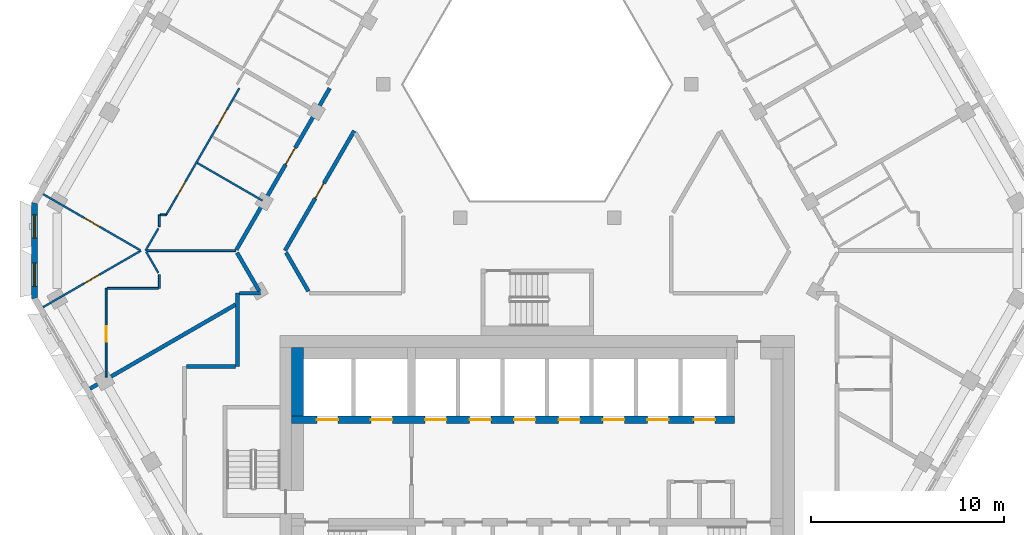
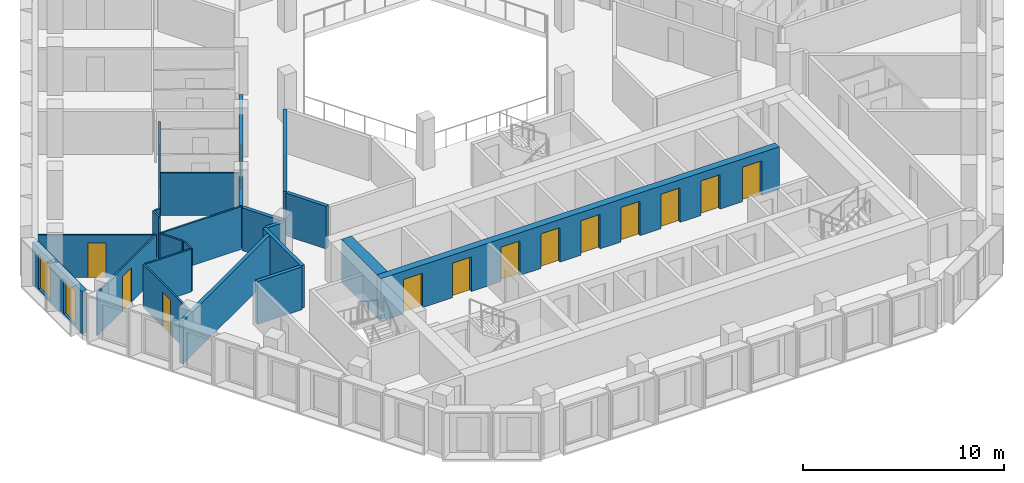
# One storey, part 4 of 18: 23 walls, 16 doors, 2 windows, 18 openings.
"""IFC4 building model written with IfcOpenShell, lengths in metres."""

from ifc_helpers import new_model, si_unit, direction, frame, frame_2d, origin, place, context, subcontext, project, spatial, polyline, rectangle, outline, extrude, material, layer, layer_set, type_object, element, fill, save


model = new_model("IFC4")

# Units and contexts
model_context = context("Model", 3, precision=1e-05, world=origin(), true_north=direction((0.0, 1.0)))
body_context = subcontext(model_context, "Body", "Model", "MODEL_VIEW")
ifc_project = project(units=[si_unit("LENGTHUNIT", "METRE"), si_unit("AREAUNIT", "SQUARE_METRE"), si_unit("VOLUMEUNIT", "CUBIC_METRE"), si_unit("PLANEANGLEUNIT", "RADIAN"), si_unit("MASSUNIT", "GRAM", prefix="KILO")], contexts=[model_context])

# Site, building, storey
site_placement = place(None, origin())
site = spatial("IfcSite", under=ifc_project, at=site_placement, CompositionType="ELEMENT")
building_placement = place(site_placement, origin())
building = spatial("IfcBuilding", under=site, at=building_placement, Name="Beryl Residences", CompositionType="ELEMENT")
storey_placement = place(building_placement, frame((0.0, 0.0, 196.199951171875)))
storey = spatial("IfcBuildingStorey", under=building, at=storey_placement, Name="L60", CompositionType="ELEMENT", Elevation=196.199951171875)

# Wall, openings, windows
ifc_material_1 = material(Name="Composite metal panel with mineral wool insulation")
ifc_layer_1 = layer(ifc_material_1, 0.300048828125)
ifc_layer_set_1 = layer_set([ifc_layer_1], Name="ES1 pale metal composite panel wall 300 mm")
wall_type_1 = type_object("IfcWallType", Name="ES1 pale metal composite panel wall 300 mm", PredefinedType="SOLIDWALL", material=ifc_layer_set_1)
wall_1_placement = place(storey_placement, frame((-26.00390625, 1.89990234375, 0.0), z_axis=(0.0, 0.0, 1.0), x_axis=(0.0, -1.0, 0.0)))
wall_1 = element("IfcWall", 1, at=wall_1_placement, inside=storey, type_object=wall_type_1, Name="ES1 external wall L60 NW-SW", PredefinedType="SOLIDWALL", context=body_context, shape_type="SweptSolid", body=[
    extrude(outline(polyline([(0.0, -0.14990234375), (5.0, -0.14990234375), (4.919677734375, 0.14990234375), (0.080322265625, 0.14990234375), (0.0, -0.14990234375)])), origin(), (0.0, 0.0, 1.0), 2.60009765625),
])
opening_1_placement = place(wall_1_placement, frame((0.64990234375, 0.0, 0.14990234375)))
opening_1 = element("IfcOpeningElement", 2, at=opening_1_placement, cuts=wall_1, Name="Opening W2", PredefinedType="OPENING", context=body_context, shape_type="SweptSolid", body=[
    extrude(rectangle(XDim=1.199951171875, YDim=2.10009765625, at=frame_2d((0.60009765625, 1.050048828125))), frame((0.0, 0.159912109375, 0.0), z_axis=(0.0, -1.0, 0.0), x_axis=(1.0, 0.0, 0.0)), (0.0, 0.0, 1.0), 0.320068359375),
])
opening_2_placement = place(wall_1_placement, frame((3.14990234375, 0.0, 0.14990234375)))
opening_2 = element("IfcOpeningElement", 3, at=opening_2_placement, cuts=wall_1, Name="Opening W2", PredefinedType="OPENING", context=body_context, shape_type="SweptSolid", body=[
    extrude(rectangle(XDim=1.199951171875, YDim=2.10009765625, at=frame_2d((0.60009765625, 1.050048828125))), frame((0.0, 0.159912109375, 0.0), z_axis=(0.0, -1.0, 0.0), x_axis=(1.0, 0.0, 0.0)), (0.0, 0.0, 1.0), 0.320068359375),
])
ifc_material_2 = material(Name="Aluminium and clear glass", Category="aluminium")
window_type = type_object("IfcWindowType", Name="W2 chamfer window 1200 x 2100 mm", PartitioningType="SINGLE_PANEL", PredefinedType="WINDOW", material=ifc_material_2)
window_1_placement = place(opening_1_placement, origin())
window_1 = element("IfcWindow", 4, at=window_1_placement, inside=storey, type_object=window_type, Name="W2 window L60 NW-SW 1", OverallHeight=2.10009765625, OverallWidth=1.199951171875, PartitioningType="SINGLE_PANEL", PredefinedType="WINDOW", context=body_context, shape_type="SweptSolid", body=[
    extrude(rectangle(XDim=1.199951171875, YDim=2.10009765625, at=frame_2d((0.60009765625, 1.050048828125))), frame((0.0, 0.030029296875, 0.0), z_axis=(0.0, -1.0, 0.0), x_axis=(1.0, 0.0, 0.0)), (0.0, 0.0, 1.0), 0.06005859375),
])
fill(opening_1, window_1)
window_2_placement = place(opening_2_placement, origin())
window_2 = element("IfcWindow", 5, at=window_2_placement, inside=storey, type_object=window_type, Name="W2 window L60 NW-SW 2", OverallHeight=2.10009765625, OverallWidth=1.199951171875, PartitioningType="SINGLE_PANEL", PredefinedType="WINDOW", context=body_context, shape_type="SweptSolid", body=[
    extrude(rectangle(XDim=1.199951171875, YDim=2.10009765625, at=frame_2d((0.60009765625, 1.050048828125))), frame((0.0, 0.030029296875, 0.0), z_axis=(0.0, -1.0, 0.0), x_axis=(1.0, 0.0, 0.0)), (0.0, 0.0, 1.0), 0.06005859375),
])
fill(opening_2, window_2)

# Walls
ifc_material_3 = material(Name="Gypsum board partition on steel studs", Category="steel")
ifc_layer_2 = layer(ifc_material_3, 0.10009765625)
ifc_layer_set_2 = layer_set([ifc_layer_2], Name="PT1 partition 100 mm gypsum board on steel studs")
wall_type_2 = type_object("IfcWallType", Name="PT1 partition 100 mm gypsum board on steel studs", PredefinedType="PARTITIONING", material=ifc_layer_set_2)
wall_2_placement = place(storey_placement, frame((-20.23291015625, -0.65087890625, 0.0), z_axis=(0.0, 0.0, 1.0), x_axis=(0.500498449207, -0.865737432679, 0.0)))
element("IfcWall", 6, at=wall_2_placement, inside=storey, type_object=wall_type_2, Name="Wall PT1 L60 001", PredefinedType="PARTITIONING", context=body_context, shape_type="SweptSolid", body=[
    extrude(rectangle(XDim=1.270751953125, YDim=0.10009765625, at=frame_2d((0.63525390625, 0.0))), origin(), (0.0, 0.0, 1.0), 2.60009765625),
])
wall_3_placement = place(storey_placement, frame((-17.5849609375, 3.93603515625, 0.0), z_axis=(0.0, 0.0, 1.0), x_axis=(0.865979019114, -0.500080332001, 0.0)))
element("IfcWall", 7, at=wall_3_placement, inside=storey, type_object=wall_type_2, Name="Wall PT1 L60 013", PredefinedType="PARTITIONING", context=body_context, shape_type="SweptSolid", body=[
    extrude(rectangle(XDim=3.897216796875, YDim=0.10009765625, at=frame_2d((1.94873046875, 0.0))), origin(), (0.0, 0.0, 1.0), 2.60009765625),
])

# Wall, opening, door
wall_4_placement = place(storey_placement, frame((-25.56201171875, 2.324951171875, 0.0), z_axis=(0.0, 0.0, 1.0), x_axis=(0.86599890761, -0.500045889912, 0.0)))
wall_4 = element("IfcWall", 8, at=wall_4_placement, inside=storey, type_object=wall_type_2, Name="Wall PT1 L60 014", PredefinedType="PARTITIONING", context=body_context, shape_type="SweptSolid", body=[
    extrude(rectangle(XDim=5.79345703125, YDim=0.10009765625, at=frame_2d((2.896728515625, 0.0))), origin(), (0.0, 0.0, 1.0), 2.60009765625),
])
opening_3_placement = place(wall_4_placement, frame((2.47607421875, 0.0, 0.0)))
opening_3 = element("IfcOpeningElement", 9, at=opening_3_placement, cuts=wall_4, Name="Opening D1528", PredefinedType="OPENING", context=body_context, shape_type="SweptSolid", body=[
    extrude(rectangle(XDim=0.89990234375, YDim=2.10009765625, at=frame_2d((0.449951171875, 1.050048828125))), frame((0.0, 0.06005859375, 0.0), z_axis=(0.0, -1.0, 0.0), x_axis=(1.0, 0.0, 0.0)), (0.0, 0.0, 1.0), 0.1201171875),
])
ifc_material_4 = material(Name="Timber door leaf", Category="wood")
door_type_1 = type_object("IfcDoorType", Name="D2 room door 900 x 2100 mm", OperationType="SINGLE_SWING_LEFT", PredefinedType="DOOR", material=ifc_material_4)
door_1_placement = place(opening_3_placement, origin())
door_1 = element("IfcDoor", 10, at=door_1_placement, inside=storey, type_object=door_type_1, Name="Door D1528 L60 001", OperationType="SINGLE_SWING_RIGHT", OverallHeight=2.10009765625, OverallWidth=0.89990234375, PredefinedType="DOOR", context=body_context, shape_type="SweptSolid", body=[
    extrude(rectangle(XDim=0.89990234375, YDim=2.10009765625, at=frame_2d((0.449951171875, 1.050048828125))), frame((0.0, 0.02490234375, 0.0), z_axis=(0.0, -1.0, 0.0), x_axis=(1.0, 0.0, 0.0)), (0.0, 0.0, 1.0), 0.050048828125),
])
fill(opening_3, door_1)

# Walls
wall_5_placement = place(storey_placement, frame((-20.2041015625, -0.60107421875, 0.0), z_axis=(0.0, 0.0, 1.0), x_axis=(1.0, 0.0, 0.0)))
element("IfcWall", 11, at=wall_5_placement, inside=storey, type_object=wall_type_2, Name="Wall PT1 L60 017", PredefinedType="PARTITIONING", context=body_context, shape_type="SweptSolid", body=[
    extrude(rectangle(XDim=4.6162109375, YDim=0.10009765625, at=frame_2d((2.30810546875, 0.0))), origin(), (0.0, 0.0, 1.0), 2.60009765625),
])
wall_6_placement = place(storey_placement, frame((-22.2470703125, -2.552978515625, 0.0), z_axis=(0.0, 0.0, 1.0), x_axis=(1.0, 0.0, 0.0)))
element("IfcWall", 12, at=wall_6_placement, inside=storey, type_object=wall_type_2, Name="Wall PT1 L60 020", PredefinedType="PARTITIONING", context=body_context, shape_type="SweptSolid", body=[
    extrude(rectangle(XDim=2.650146484375, YDim=0.10009765625, at=frame_2d((1.3251953125, 0.0))), origin(), (0.0, 0.0, 1.0), 2.60009765625),
])
wall_7_placement = place(storey_placement, frame((-19.4970703125, 1.2470703125, 0.0), z_axis=(0.0, 0.0, 1.0), x_axis=(1.0, 0.0, 0.0)))
element("IfcWall", 13, at=wall_7_placement, inside=storey, type_object=wall_type_2, Name="Wall PT1 L60 021", PredefinedType="PARTITIONING", context=body_context, shape_type="SweptSolid", body=[
    extrude(rectangle(XDim=0.302001953125, YDim=0.10009765625, at=frame_2d((0.15087890625, 0.0))), origin(), (0.0, 0.0, 1.0), 2.60009765625),
])
wall_8_placement = place(storey_placement, frame((-20.261962890625, -0.60107421875, 0.0), z_axis=(0.0, 0.0, 1.0), x_axis=(0.500247001515, 0.86588275042, 0.0)))
element("IfcWall", 14, at=wall_8_placement, inside=storey, type_object=wall_type_2, Name="Wall PT1 L60 027", PredefinedType="PARTITIONING", context=body_context, shape_type="SweptSolid", body=[
    extrude(rectangle(XDim=1.329345703125, YDim=0.10009765625, at=frame_2d((0.66455078125, 0.0))), origin(), (0.0, 0.0, 1.0), 2.60009765625),
])

# Wall, openings, doors
wall_9_placement = place(storey_placement, frame((-19.195068359375, 1.2470703125, 0.0), z_axis=(0.0, 0.0, 1.0), x_axis=(0.499959862915, 0.866048575701, 0.0)))
wall_9 = element("IfcWall", 15, at=wall_9_placement, inside=storey, type_object=wall_type_2, Name="Wall PT1 L60 028", PredefinedType="PARTITIONING", context=body_context, shape_type="SweptSolid", body=[
    extrude(rectangle(XDim=7.56640625, YDim=0.10009765625, at=frame_2d((3.783203125, 0.0))), origin(), (0.0, 0.0, 1.0), 2.60009765625),
])
opening_4_placement = place(wall_9_placement, frame((5.35400390625, 0.0, 0.0)))
opening_4 = element("IfcOpeningElement", 16, at=opening_4_placement, cuts=wall_9, Name="Opening D1527", PredefinedType="OPENING", context=body_context, shape_type="SweptSolid", body=[
    extrude(rectangle(XDim=0.89990234375, YDim=2.10009765625, at=frame_2d((0.449951171875, 1.050048828125))), frame((0.0, 0.06005859375, 0.0), z_axis=(0.0, -1.0, 0.0), x_axis=(1.0, 0.0, 0.0)), (0.0, 0.0, 1.0), 0.1201171875),
])
opening_5_placement = place(wall_9_placement, frame((1.177001953125, 0.0, 0.0)))
opening_5 = element("IfcOpeningElement", 17, at=opening_5_placement, cuts=wall_9, Name="Opening D1529", PredefinedType="OPENING", context=body_context, shape_type="SweptSolid", body=[
    extrude(rectangle(XDim=0.800048828125, YDim=2.10009765625, at=frame_2d((0.39990234375, 1.050048828125))), frame((0.0, 0.06005859375, 0.0), z_axis=(0.0, -1.0, 0.0), x_axis=(1.0, 0.0, 0.0)), (0.0, 0.0, 1.0), 0.1201171875),
])
door_2_placement = place(opening_4_placement, origin())
door_2 = element("IfcDoor", 18, at=door_2_placement, inside=storey, type_object=door_type_1, Name="Door D1527 L60 001", OperationType="SINGLE_SWING_LEFT", OverallHeight=2.10009765625, OverallWidth=0.89990234375, PredefinedType="DOOR", context=body_context, shape_type="SweptSolid", body=[
    extrude(rectangle(XDim=0.89990234375, YDim=2.10009765625, at=frame_2d((0.449951171875, 1.050048828125))), frame((0.0, 0.02490234375, 0.0), z_axis=(0.0, -1.0, 0.0), x_axis=(1.0, 0.0, 0.0)), (0.0, 0.0, 1.0), 0.050048828125),
])
fill(opening_4, door_2)
ifc_material_5 = material(Name="Timber door leaf", Category="wood")
door_type_2 = type_object("IfcDoorType", Name="D3 bathroom door 800 x 2100 mm", OperationType="SINGLE_SWING_LEFT", PredefinedType="DOOR", material=ifc_material_5)
door_3_placement = place(opening_5_placement, origin())
door_3 = element("IfcDoor", 19, at=door_3_placement, inside=storey, type_object=door_type_2, Name="Door D1529 L60 001", OperationType="SINGLE_SWING_LEFT", OverallHeight=2.10009765625, OverallWidth=0.800048828125, PredefinedType="DOOR", context=body_context, shape_type="SweptSolid", body=[
    extrude(rectangle(XDim=0.800048828125, YDim=2.10009765625, at=frame_2d((0.39990234375, 1.050048828125))), frame((0.0, 0.02490234375, 0.0), z_axis=(0.0, -1.0, 0.0), x_axis=(1.0, 0.0, 0.0)), (0.0, 0.0, 1.0), 0.050048828125),
])
fill(opening_5, door_3)

# Walls
wall_10_placement = place(storey_placement, frame((-19.547119140625, -2.552978515625, 0.0), z_axis=(0.0, 0.0, 1.0), x_axis=(0.0, 1.0, 0.0)))
element("IfcWall", 20, at=wall_10_placement, inside=storey, type_object=wall_type_2, Name="Wall PT1 L60 037", PredefinedType="PARTITIONING", context=body_context, shape_type="SweptSolid", body=[
    extrude(rectangle(XDim=0.715087890625, YDim=0.10009765625, at=frame_2d((0.357421875, 0.0))), origin(), (0.0, 0.0, 1.0), 2.60009765625),
])
wall_11_placement = place(storey_placement, frame((-19.547119140625, 0.636962890625, 0.0), z_axis=(0.0, 0.0, 1.0), x_axis=(0.0, 1.0, 0.0)))
element("IfcWall", 21, at=wall_11_placement, inside=storey, type_object=wall_type_2, Name="Wall PT1 L60 038", PredefinedType="PARTITIONING", context=body_context, shape_type="SweptSolid", body=[
    extrude(rectangle(XDim=0.610107421875, YDim=0.10009765625, at=frame_2d((0.30517578125, 0.0))), origin(), (0.0, 0.0, 1.0), 2.60009765625),
])

# Wall, opening, door
wall_12_placement = place(storey_placement, frame((-22.297119140625, -7.14111328125, 0.0), z_axis=(0.0, 0.0, 1.0), x_axis=(0.0, 1.0, 0.0)))
wall_12 = element("IfcWall", 22, at=wall_12_placement, inside=storey, type_object=wall_type_2, Name="Wall PT1 L60 039", PredefinedType="PARTITIONING", context=body_context, shape_type="SweptSolid", body=[
    extrude(rectangle(XDim=4.588134765625, YDim=0.10009765625, at=frame_2d((2.2939453125, 0.0))), origin(), (0.0, 0.0, 1.0), 2.60009765625),
])
opening_6_placement = place(wall_12_placement, frame((1.8359375, 0.0, 0.0)))
opening_6 = element("IfcOpeningElement", 23, at=opening_6_placement, cuts=wall_12, Name="Opening D1531", PredefinedType="OPENING", context=body_context, shape_type="SweptSolid", body=[
    extrude(rectangle(XDim=0.800048828125, YDim=2.10009765625, at=frame_2d((0.39990234375, 1.050048828125))), frame((0.0, 0.06005859375, 0.0), z_axis=(0.0, -1.0, 0.0), x_axis=(1.0, 0.0, 0.0)), (0.0, 0.0, 1.0), 0.1201171875),
])
door_4_placement = place(opening_6_placement, origin())
door_4 = element("IfcDoor", 24, at=door_4_placement, inside=storey, type_object=door_type_2, Name="Door D1531 L60 001", OperationType="SINGLE_SWING_LEFT", OverallHeight=2.10009765625, OverallWidth=0.800048828125, PredefinedType="DOOR", context=body_context, shape_type="SweptSolid", body=[
    extrude(rectangle(XDim=0.800048828125, YDim=2.10009765625, at=frame_2d((0.39990234375, 1.050048828125))), frame((0.0, 0.02490234375, 0.0), z_axis=(0.0, -1.0, 0.0), x_axis=(1.0, 0.0, 0.0)), (0.0, 0.0, 1.0), 0.050048828125),
])
fill(opening_6, door_4)

wall_13_placement = place(storey_placement, frame((-25.56298828125, -3.52392578125, 0.0), z_axis=(0.0, 0.0, 1.0), x_axis=(0.866128586522, 0.499821239653, 0.0)))
wall_13 = element("IfcWall", 25, at=wall_13_placement, inside=storey, type_object=wall_type_2, Name="Wall PT1 L60 045", PredefinedType="PARTITIONING", context=body_context, shape_type="SweptSolid", body=[
    extrude(rectangle(XDim=5.847900390625, YDim=0.10009765625, at=frame_2d((2.923828125, 0.0))), origin(), (0.0, 0.0, 1.0), 2.60009765625),
])
opening_7_placement = place(wall_13_placement, frame((2.47412109375, 0.0, 0.0)))
opening_7 = element("IfcOpeningElement", 26, at=opening_7_placement, cuts=wall_13, Name="Opening D1530", PredefinedType="OPENING", context=body_context, shape_type="SweptSolid", body=[
    extrude(rectangle(XDim=0.89990234375, YDim=2.10009765625, at=frame_2d((0.449951171875, 1.050048828125))), frame((0.0, 0.06005859375, 0.0), z_axis=(0.0, -1.0, 0.0), x_axis=(1.0, 0.0, 0.0)), (0.0, 0.0, 1.0), 0.1201171875),
])
door_5_placement = place(opening_7_placement, origin())
door_5 = element("IfcDoor", 27, at=door_5_placement, inside=storey, type_object=door_type_1, Name="Door D1530 L60 001", OperationType="SINGLE_SWING_RIGHT", OverallHeight=2.10009765625, OverallWidth=0.89990234375, PredefinedType="DOOR", context=body_context, shape_type="SweptSolid", body=[
    extrude(rectangle(XDim=0.89990234375, YDim=2.10009765625, at=frame_2d((0.449951171875, 1.050048828125))), frame((0.0, 0.02490234375, 0.0), z_axis=(0.0, -1.0, 0.0), x_axis=(1.0, 0.0, 0.0)), (0.0, 0.0, 1.0), 0.050048828125),
])
fill(opening_7, door_5)

# Walls
ifc_material_6 = material(Name="Acoustic double stud gypsum board wall")
ifc_layer_3 = layer(ifc_material_6, 0.199951171875)
ifc_layer_set_3 = layer_set([ifc_layer_3], Name="PT3 party wall 200 mm acoustic double stud")
wall_type_3 = type_object("IfcWallType", Name="PT3 party wall 200 mm acoustic double stud", PredefinedType="PARTITIONING", material=ifc_layer_set_3)
wall_14_placement = place(storey_placement, frame((-23.1298828125, -7.737060546875, 0.0), z_axis=(0.0, 0.0, 1.0), x_axis=(0.866033148899, 0.499986584829, 0.0)))
element("IfcWall", 28, at=wall_14_placement, inside=storey, type_object=wall_type_3, Name="Wall PT3 L60 013", PredefinedType="PARTITIONING", context=body_context, shape_type="SweptSolid", body=[
    extrude(rectangle(XDim=8.694580078125, YDim=0.199951171875, at=frame_2d((4.34716796875, 0.0))), origin(), (0.0, 0.0, 1.0), 2.60009765625),
])
ifc_material_7 = material(Name="Double stud gypsum board wall")
ifc_layer_4 = layer(ifc_material_7, 0.199951171875)
ifc_layer_set_4 = layer_set([ifc_layer_4], Name="PT4 corridor wall 200 mm double stud")
wall_type_4 = type_object("IfcWallType", Name="PT4 corridor wall 200 mm double stud", PredefinedType="PARTITIONING", material=ifc_layer_set_4)
for number, where, z_axis, x_axis, name in (
    (29, (-12.989990234375, -0.700927734375, 0.0), (0.0, 0.0, 1.0), (0.499972710878, -0.866041158593, 0.0), "Wall PT4 L60 002"),
    (30, (-15.530029296875, -0.700927734375, 0.0), (0.0, 0.0, 1.0), (0.499972710878, -0.866041158593, 0.0), "Wall PT4 L60 003"),
):
    element("IfcWall", number, at=place(storey_placement, frame(where, z_axis=z_axis, x_axis=x_axis)), inside=storey, type_object=wall_type_4, Name=name, PredefinedType="PARTITIONING", context=body_context, shape_type="SweptSolid", body=[
        extrude(rectangle(XDim=2.308349609375, YDim=0.199951171875, at=frame_2d((1.154296875, 0.0))), origin(), (0.0, 0.0, 1.0), 2.60009765625),
    ])
wall_15_placement = place(storey_placement, frame((-18.14892578125, -6.60009765625, 0.0), z_axis=(0.0, 0.0, 1.0), x_axis=(1.0, 0.0, 0.0)))
element("IfcWall", 31, at=wall_15_placement, inside=storey, type_object=wall_type_4, Name="Wall PT4 L60 008", PredefinedType="PARTITIONING", context=body_context, shape_type="SweptSolid", body=[
    extrude(rectangle(XDim=2.548828125, YDim=0.199951171875, at=frame_2d((1.2744140625, 0.0))), origin(), (0.0, 0.0, 1.0), 2.60009765625),
])
wall_16_placement = place(storey_placement, frame((-15.39892578125, -2.800048828125, 0.0), z_axis=(0.0, 0.0, 1.0), x_axis=(1.0, 0.0, 0.0)))
element("IfcWall", 32, at=wall_16_placement, inside=storey, type_object=wall_type_4, Name="Wall PT4 L60 010", PredefinedType="PARTITIONING", context=body_context, shape_type="SweptSolid", body=[
    extrude(rectangle(XDim=1.080810546875, YDim=0.199951171875, at=frame_2d((0.54052734375, 0.0))), origin(), (0.0, 0.0, 1.0), 2.60009765625),
])

# Wall, opening, door
wall_17_placement = place(storey_placement, frame((-13.048095703125, -0.60107421875, 0.0), z_axis=(0.0, 0.0, 1.0), x_axis=(0.499982180423, 0.866035691677, 0.0)))
wall_17 = element("IfcWall", 33, at=wall_17_placement, inside=storey, type_object=wall_type_4, Name="Wall PT4 L60 018", PredefinedType="PARTITIONING", context=body_context, shape_type="SweptSolid", body=[
    extrude(rectangle(XDim=7.160400390625, YDim=0.199951171875, at=frame_2d((3.580078125, 0.0))), origin(), (0.0, 0.0, 1.0), 2.60009765625),
])
opening_8_placement = place(wall_17_placement, frame((3.1298828125, 0.0, 0.0)))
opening_8 = element("IfcOpeningElement", 34, at=opening_8_placement, cuts=wall_17, Name="Opening D1546", PredefinedType="OPENING", context=body_context, shape_type="SweptSolid", body=[
    extrude(rectangle(XDim=0.89990234375, YDim=2.10009765625, at=frame_2d((0.449951171875, 1.050048828125))), frame((0.0, 0.10986328125, 0.0), z_axis=(0.0, -1.0, 0.0), x_axis=(1.0, 0.0, 0.0)), (0.0, 0.0, 1.0), 0.219970703125),
])
door_6_placement = place(opening_8_placement, origin())
door_6 = element("IfcDoor", 35, at=door_6_placement, inside=storey, type_object=door_type_1, Name="Door D1546 L60 001", OperationType="SINGLE_SWING_RIGHT", OverallHeight=2.10009765625, OverallWidth=0.89990234375, PredefinedType="DOOR", context=body_context, shape_type="SweptSolid", body=[
    extrude(rectangle(XDim=0.89990234375, YDim=2.10009765625, at=frame_2d((0.449951171875, 1.050048828125))), frame((0.0, 0.02490234375, 0.0), z_axis=(0.0, -1.0, 0.0), x_axis=(1.0, 0.0, 0.0)), (0.0, 0.0, 1.0), 0.050048828125),
])
fill(opening_8, door_6)

wall_18_placement = place(storey_placement, frame((-15.55908203125, -0.551025390625, 0.0), z_axis=(0.0, 0.0, 1.0), x_axis=(0.499964997208, 0.866045611713, 0.0)))
wall_18 = element("IfcWall", 36, at=wall_18_placement, inside=storey, type_object=wall_type_4, Name="Wall PT4 L60 019", PredefinedType="PARTITIONING", context=body_context, shape_type="SweptSolid", body=[
    extrude(rectangle(XDim=9.642822265625, YDim=0.199951171875, at=frame_2d((4.8212890625, 0.0))), origin(), (0.0, 0.0, 1.0), 2.60009765625),
])
opening_9_placement = place(wall_18_placement, frame((5.087890625, 0.0, 0.0)))
opening_9 = element("IfcOpeningElement", 37, at=opening_9_placement, cuts=wall_18, Name="Opening D1524", PredefinedType="OPENING", context=body_context, shape_type="SweptSolid", body=[
    extrude(rectangle(XDim=1.0, YDim=2.10009765625, at=frame_2d((0.5, 1.050048828125))), frame((0.0, 0.10986328125, 0.0), z_axis=(0.0, -1.0, 0.0), x_axis=(1.0, 0.0, 0.0)), (0.0, 0.0, 1.0), 0.219970703125),
])
ifc_material_8 = material(Name="Timber door leaf", Category="wood")
door_type_3 = type_object("IfcDoorType", Name="D1 flat entrance door 1000 x 2100 mm", OperationType="SINGLE_SWING_LEFT", PredefinedType="DOOR", material=ifc_material_8)
door_7_placement = place(opening_9_placement, origin())
door_7 = element("IfcDoor", 38, at=door_7_placement, inside=storey, type_object=door_type_3, Name="Door D1524 L60 001", OperationType="SINGLE_SWING_RIGHT", OverallHeight=2.10009765625, OverallWidth=1.0, PredefinedType="DOOR", context=body_context, shape_type="SweptSolid", body=[
    extrude(rectangle(XDim=1.0, YDim=2.10009765625, at=frame_2d((0.5, 1.050048828125))), frame((0.0, 0.02490234375, 0.0), z_axis=(0.0, -1.0, 0.0), x_axis=(1.0, 0.0, 0.0)), (0.0, 0.0, 1.0), 0.050048828125),
])
fill(opening_9, door_7)

# Walls
wall_19_placement = place(storey_placement, frame((-15.5, -6.60009765625, 0.0), z_axis=(0.0, 0.0, 1.0), x_axis=(0.0, 1.0, 0.0)))
element("IfcWall", 39, at=wall_19_placement, inside=storey, type_object=wall_type_4, Name="Wall PT4 L60 024", PredefinedType="PARTITIONING", context=body_context, shape_type="SweptSolid", body=[
    extrude(rectangle(XDim=3.799072265625, YDim=0.199951171875, at=frame_2d((1.8994140625, 0.0))), origin(), (0.0, 0.0, 1.0), 2.60009765625),
])
ifc_material_9 = material(Name="Concrete C40/50", Category="concrete")
ifc_layer_5 = layer(ifc_material_9, 0.60009765625)
ifc_layer_set_5 = layer_set([ifc_layer_5], Name="PT6-600 lift shaft wall 600 mm")
wall_type_5 = type_object("IfcWallType", Name="PT6-600 lift shaft wall 600 mm", PredefinedType="SOLIDWALL", material=ifc_layer_set_5)
wall_20_placement = place(storey_placement, frame((-12.39990234375, -9.14990234375, 0.0), z_axis=(0.0, 0.0, 1.0), x_axis=(0.0, 1.0, 0.0)))
element("IfcWall", 40, at=wall_20_placement, inside=storey, type_object=wall_type_5, Name="Lift shaft wall 07", PredefinedType="SOLIDWALL", context=body_context, shape_type="SweptSolid", body=[
    extrude(rectangle(XDim=3.5498046875, YDim=0.60009765625, at=frame_2d((1.77490234375, 0.0))), origin(), (0.0, 0.0, 1.0), 2.60009765625),
])

# Wall, openings, doors
ifc_material_10 = material(Name="Concrete C50/60", Category="concrete")
ifc_layer_6 = layer(ifc_material_10, 0.39990234375)
ifc_layer_set_6 = layer_set([ifc_layer_6], Name="SW9 core internal wall 400 mm C50/60")
wall_type_6 = type_object("IfcWallType", Name="SW9 core internal wall 400 mm C50/60", PredefinedType="SHEAR", material=ifc_layer_set_6)
wall_21_placement = place(storey_placement, frame((-12.699951171875, -9.35009765625, 0.0), z_axis=(0.0, 0.0, 1.0), x_axis=(1.0, 0.0, 0.0)))
wall_21 = element("IfcWall", 41, at=wall_21_placement, inside=storey, type_object=wall_type_6, Name="Core wall SP2 L60", PredefinedType="SHEAR", context=body_context, shape_type="SweptSolid", body=[
    extrude(rectangle(XDim=22.89990234375, YDim=0.39990234375, at=frame_2d((11.449951171875, 0.0))), origin(), (0.0, 0.0, 1.0), 2.60009765625),
])
opening_10_placement = place(wall_21_placement, frame((1.300048828125, 0.0, 0.0)))
opening_10 = element("IfcOpeningElement", 42, at=opening_10_placement, cuts=wall_21, Name="Opening LD-FF1", PredefinedType="OPENING", context=body_context, shape_type="SweptSolid", body=[
    extrude(rectangle(XDim=1.10009765625, YDim=2.10009765625, at=frame_2d((0.550048828125, 1.050048828125))), frame((0.0, 0.2099609375, 0.0), z_axis=(0.0, -1.0, 0.0), x_axis=(1.0, 0.0, 0.0)), (0.0, 0.0, 1.0), 0.419921875),
])
opening_11_placement = place(wall_21_placement, frame((4.10009765625, 0.0, 0.0)))
opening_11 = element("IfcOpeningElement", 43, at=opening_11_placement, cuts=wall_21, Name="Opening LD-FF2", PredefinedType="OPENING", context=body_context, shape_type="SweptSolid", body=[
    extrude(rectangle(XDim=1.10009765625, YDim=2.10009765625, at=frame_2d((0.550048828125, 1.050048828125))), frame((0.0, 0.2099609375, 0.0), z_axis=(0.0, -1.0, 0.0), x_axis=(1.0, 0.0, 0.0)), (0.0, 0.0, 1.0), 0.419921875),
])
opening_12_placement = place(wall_21_placement, frame((6.89990234375, 0.0, 0.0)))
opening_12 = element("IfcOpeningElement", 44, at=opening_12_placement, cuts=wall_21, Name="Opening LD-HR1", PredefinedType="OPENING", context=body_context, shape_type="SweptSolid", body=[
    extrude(rectangle(XDim=1.10009765625, YDim=2.10009765625, at=frame_2d((0.550048828125, 1.050048828125))), frame((0.0, 0.2099609375, 0.0), z_axis=(0.0, -1.0, 0.0), x_axis=(1.0, 0.0, 0.0)), (0.0, 0.0, 1.0), 0.419921875),
])
opening_13_placement = place(wall_21_placement, frame((9.199951171875, 0.0, 0.0)))
opening_13 = element("IfcOpeningElement", 45, at=opening_13_placement, cuts=wall_21, Name="Opening LD-HR2", PredefinedType="OPENING", context=body_context, shape_type="SweptSolid", body=[
    extrude(rectangle(XDim=1.10009765625, YDim=2.10009765625, at=frame_2d((0.550048828125, 1.050048828125))), frame((0.0, 0.2099609375, 0.0), z_axis=(0.0, -1.0, 0.0), x_axis=(1.0, 0.0, 0.0)), (0.0, 0.0, 1.0), 0.419921875),
])
opening_14_placement = place(wall_21_placement, frame((11.5, 0.0, 0.0)))
opening_14 = element("IfcOpeningElement", 46, at=opening_14_placement, cuts=wall_21, Name="Opening LD-HR3", PredefinedType="OPENING", context=body_context, shape_type="SweptSolid", body=[
    extrude(rectangle(XDim=1.10009765625, YDim=2.10009765625, at=frame_2d((0.550048828125, 1.050048828125))), frame((0.0, 0.2099609375, 0.0), z_axis=(0.0, -1.0, 0.0), x_axis=(1.0, 0.0, 0.0)), (0.0, 0.0, 1.0), 0.419921875),
])
opening_15_placement = place(wall_21_placement, frame((13.800048828125, 0.0, 0.0)))
opening_15 = element("IfcOpeningElement", 47, at=opening_15_placement, cuts=wall_21, Name="Opening LD-HR4", PredefinedType="OPENING", context=body_context, shape_type="SweptSolid", body=[
    extrude(rectangle(XDim=1.10009765625, YDim=2.10009765625, at=frame_2d((0.550048828125, 1.050048828125))), frame((0.0, 0.2099609375, 0.0), z_axis=(0.0, -1.0, 0.0), x_axis=(1.0, 0.0, 0.0)), (0.0, 0.0, 1.0), 0.419921875),
])
opening_16_placement = place(wall_21_placement, frame((16.10009765625, 0.0, 0.0)))
opening_16 = element("IfcOpeningElement", 48, at=opening_16_placement, cuts=wall_21, Name="Opening LD-HR5", PredefinedType="OPENING", context=body_context, shape_type="SweptSolid", body=[
    extrude(rectangle(XDim=1.10009765625, YDim=2.10009765625, at=frame_2d((0.550048828125, 1.050048828125))), frame((0.0, 0.2099609375, 0.0), z_axis=(0.0, -1.0, 0.0), x_axis=(1.0, 0.0, 0.0)), (0.0, 0.0, 1.0), 0.419921875),
])
opening_17_placement = place(wall_21_placement, frame((18.39990234375, 0.0, 0.0)))
opening_17 = element("IfcOpeningElement", 49, at=opening_17_placement, cuts=wall_21, Name="Opening LD-HR6", PredefinedType="OPENING", context=body_context, shape_type="SweptSolid", body=[
    extrude(rectangle(XDim=1.10009765625, YDim=2.10009765625, at=frame_2d((0.550048828125, 1.050048828125))), frame((0.0, 0.2099609375, 0.0), z_axis=(0.0, -1.0, 0.0), x_axis=(1.0, 0.0, 0.0)), (0.0, 0.0, 1.0), 0.419921875),
])
opening_18_placement = place(wall_21_placement, frame((20.800048828125, 0.0, 0.0)))
opening_18 = element("IfcOpeningElement", 50, at=opening_18_placement, cuts=wall_21, Name="Opening LD-SL1", PredefinedType="OPENING", context=body_context, shape_type="SweptSolid", body=[
    extrude(rectangle(XDim=1.10009765625, YDim=2.10009765625, at=frame_2d((0.550048828125, 1.050048828125))), frame((0.0, 0.2099609375, 0.0), z_axis=(0.0, -1.0, 0.0), x_axis=(1.0, 0.0, 0.0)), (0.0, 0.0, 1.0), 0.419921875),
])
ifc_material_11 = material(Name="Stainless steel sliding door", Category="steel")
door_type_4 = type_object("IfcDoorType", Name="LD1 lift landing door 1100 x 2100 mm", OperationType="DOUBLE_DOOR_SLIDING", PredefinedType="DOOR", material=ifc_material_11)
door_8_placement = place(opening_10_placement, origin())
door_8 = element("IfcDoor", 51, at=door_8_placement, inside=storey, type_object=door_type_4, Name="Lift landing door FF1", OperationType="DOUBLE_DOOR_SLIDING", OverallHeight=2.10009765625, OverallWidth=1.10009765625, PredefinedType="DOOR", context=body_context, shape_type="SweptSolid", body=[
    extrude(rectangle(XDim=1.10009765625, YDim=2.10009765625, at=frame_2d((0.550048828125, 1.050048828125))), frame((0.0, 0.02490234375, 0.0), z_axis=(0.0, -1.0, 0.0), x_axis=(1.0, 0.0, 0.0)), (0.0, 0.0, 1.0), 0.050048828125),
])
fill(opening_10, door_8)
door_9_placement = place(opening_11_placement, origin())
door_9 = element("IfcDoor", 52, at=door_9_placement, inside=storey, type_object=door_type_4, Name="Lift landing door FF2", OperationType="DOUBLE_DOOR_SLIDING", OverallHeight=2.10009765625, OverallWidth=1.10009765625, PredefinedType="DOOR", context=body_context, shape_type="SweptSolid", body=[
    extrude(rectangle(XDim=1.10009765625, YDim=2.10009765625, at=frame_2d((0.550048828125, 1.050048828125))), frame((0.0, 0.02490234375, 0.0), z_axis=(0.0, -1.0, 0.0), x_axis=(1.0, 0.0, 0.0)), (0.0, 0.0, 1.0), 0.050048828125),
])
fill(opening_11, door_9)
door_10_placement = place(opening_12_placement, origin())
door_10 = element("IfcDoor", 53, at=door_10_placement, inside=storey, type_object=door_type_4, Name="Lift landing door HR1", OperationType="DOUBLE_DOOR_SLIDING", OverallHeight=2.10009765625, OverallWidth=1.10009765625, PredefinedType="DOOR", context=body_context, shape_type="SweptSolid", body=[
    extrude(rectangle(XDim=1.10009765625, YDim=2.10009765625, at=frame_2d((0.550048828125, 1.050048828125))), frame((0.0, 0.02490234375, 0.0), z_axis=(0.0, -1.0, 0.0), x_axis=(1.0, 0.0, 0.0)), (0.0, 0.0, 1.0), 0.050048828125),
])
fill(opening_12, door_10)
door_11_placement = place(opening_13_placement, origin())
door_11 = element("IfcDoor", 54, at=door_11_placement, inside=storey, type_object=door_type_4, Name="Lift landing door HR2", OperationType="DOUBLE_DOOR_SLIDING", OverallHeight=2.10009765625, OverallWidth=1.10009765625, PredefinedType="DOOR", context=body_context, shape_type="SweptSolid", body=[
    extrude(rectangle(XDim=1.10009765625, YDim=2.10009765625, at=frame_2d((0.550048828125, 1.050048828125))), frame((0.0, 0.02490234375, 0.0), z_axis=(0.0, -1.0, 0.0), x_axis=(1.0, 0.0, 0.0)), (0.0, 0.0, 1.0), 0.050048828125),
])
fill(opening_13, door_11)
door_12_placement = place(opening_14_placement, origin())
door_12 = element("IfcDoor", 55, at=door_12_placement, inside=storey, type_object=door_type_4, Name="Lift landing door HR3", OperationType="DOUBLE_DOOR_SLIDING", OverallHeight=2.10009765625, OverallWidth=1.10009765625, PredefinedType="DOOR", context=body_context, shape_type="SweptSolid", body=[
    extrude(rectangle(XDim=1.10009765625, YDim=2.10009765625, at=frame_2d((0.550048828125, 1.050048828125))), frame((0.0, 0.02490234375, 0.0), z_axis=(0.0, -1.0, 0.0), x_axis=(1.0, 0.0, 0.0)), (0.0, 0.0, 1.0), 0.050048828125),
])
fill(opening_14, door_12)
door_13_placement = place(opening_15_placement, origin())
door_13 = element("IfcDoor", 56, at=door_13_placement, inside=storey, type_object=door_type_4, Name="Lift landing door HR4", OperationType="DOUBLE_DOOR_SLIDING", OverallHeight=2.10009765625, OverallWidth=1.10009765625, PredefinedType="DOOR", context=body_context, shape_type="SweptSolid", body=[
    extrude(rectangle(XDim=1.10009765625, YDim=2.10009765625, at=frame_2d((0.550048828125, 1.050048828125))), frame((0.0, 0.02490234375, 0.0), z_axis=(0.0, -1.0, 0.0), x_axis=(1.0, 0.0, 0.0)), (0.0, 0.0, 1.0), 0.050048828125),
])
fill(opening_15, door_13)
door_14_placement = place(opening_16_placement, origin())
door_14 = element("IfcDoor", 57, at=door_14_placement, inside=storey, type_object=door_type_4, Name="Lift landing door HR5", OperationType="DOUBLE_DOOR_SLIDING", OverallHeight=2.10009765625, OverallWidth=1.10009765625, PredefinedType="DOOR", context=body_context, shape_type="SweptSolid", body=[
    extrude(rectangle(XDim=1.10009765625, YDim=2.10009765625, at=frame_2d((0.550048828125, 1.050048828125))), frame((0.0, 0.02490234375, 0.0), z_axis=(0.0, -1.0, 0.0), x_axis=(1.0, 0.0, 0.0)), (0.0, 0.0, 1.0), 0.050048828125),
])
fill(opening_16, door_14)
door_15_placement = place(opening_17_placement, origin())
door_15 = element("IfcDoor", 58, at=door_15_placement, inside=storey, type_object=door_type_4, Name="Lift landing door HR6", OperationType="DOUBLE_DOOR_SLIDING", OverallHeight=2.10009765625, OverallWidth=1.10009765625, PredefinedType="DOOR", context=body_context, shape_type="SweptSolid", body=[
    extrude(rectangle(XDim=1.10009765625, YDim=2.10009765625, at=frame_2d((0.550048828125, 1.050048828125))), frame((0.0, 0.02490234375, 0.0), z_axis=(0.0, -1.0, 0.0), x_axis=(1.0, 0.0, 0.0)), (0.0, 0.0, 1.0), 0.050048828125),
])
fill(opening_17, door_15)
door_16_placement = place(opening_18_placement, origin())
door_16 = element("IfcDoor", 59, at=door_16_placement, inside=storey, type_object=door_type_4, Name="Lift landing door SL1", OperationType="DOUBLE_DOOR_SLIDING", OverallHeight=2.10009765625, OverallWidth=1.10009765625, PredefinedType="DOOR", context=body_context, shape_type="SweptSolid", body=[
    extrude(rectangle(XDim=1.10009765625, YDim=2.10009765625, at=frame_2d((0.550048828125, 1.050048828125))), frame((0.0, 0.02490234375, 0.0), z_axis=(0.0, -1.0, 0.0), x_axis=(1.0, 0.0, 0.0)), (0.0, 0.0, 1.0), 0.050048828125),
])
fill(opening_18, door_16)

save(model, "model.ifc")
